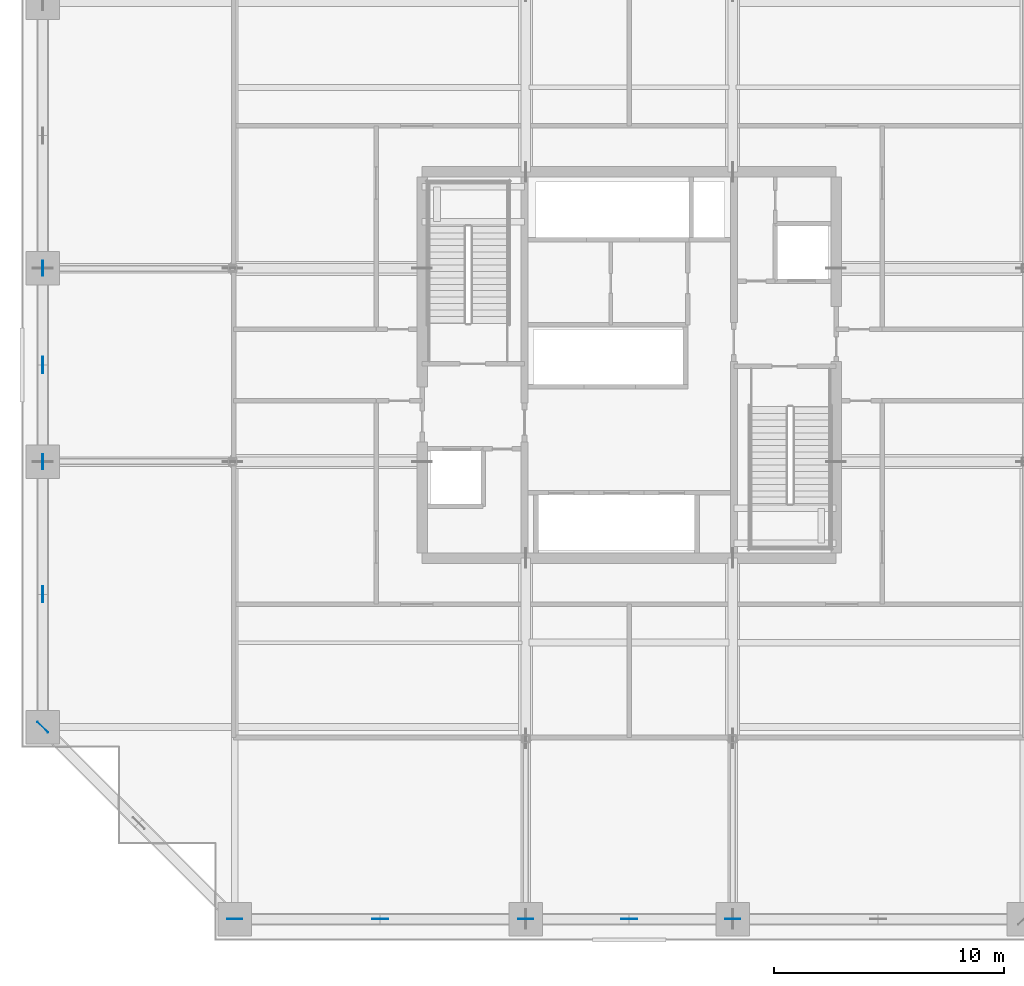
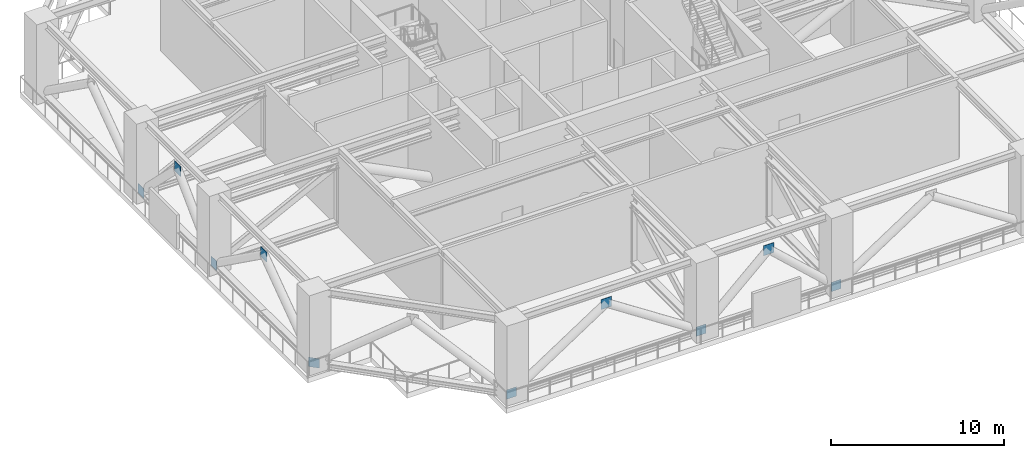
# One storey, part 10 of 21: 10 plates.
"""IFC4 building model written with IfcOpenShell, lengths in metres."""

from ifc_helpers import new_model, si_unit, direction, frame, origin, origin_2d, place, context, subcontext, project, spatial, rectangle, extrude, source, transform, mapped, material, layer, layer_set, type_object, element, save


model = new_model("IFC4")

# Units and contexts
model_context = context("Model", 3, precision=1e-05, world=origin(), true_north=direction((0.0, 1.0)))
body_context = subcontext(model_context, "Body", "Model", "MODEL_VIEW")
ifc_project = project(units=[si_unit("LENGTHUNIT", "METRE"), si_unit("AREAUNIT", "SQUARE_METRE"), si_unit("VOLUMEUNIT", "CUBIC_METRE"), si_unit("PLANEANGLEUNIT", "RADIAN"), si_unit("MASSUNIT", "GRAM", prefix="KILO")], contexts=[model_context])

# Site, building, storey
site_placement = place(None, origin())
site = spatial("IfcSite", under=ifc_project, at=site_placement, CompositionType="ELEMENT")
building_placement = place(site_placement, origin())
building = spatial("IfcBuilding", under=site, at=building_placement, Name="Serunith Strait Residences", CompositionType="ELEMENT")
storey_placement = place(building_placement, frame((0.0, 0.0, 109.199951171875)))
storey = spatial("IfcBuildingStorey", under=building, at=storey_placement, Name="L27", CompositionType="ELEMENT", Elevation=109.199951171875)

# Plates
ifc_material = material(Name="Steel S460M", Category="steel")
ifc_layer = layer(ifc_material, 0.02490234375, Name="Steel S460M")
ifc_layer_set = layer_set([ifc_layer], Name="Steel S460M")
plate_type = type_object("IfcPlateType", Name="PLT-CAP-25", PredefinedType="SHEET", material=ifc_layer_set)
shared_shape_1 = source(origin(), body_context, "Body", "SweptSolid", [
    extrude(rectangle(XDim=0.699951171875, YDim=0.02490234375, at=origin_2d()), origin(), (0.0, 0.0, 1.0), 0.699951171875),
])
for number, where, z_axis, x_axis, name in (
    (1, (21.574951171875, 1.10009765625, 4.0400390625), (0.0, 0.0, 1.0), (1.0, 0.0, 0.0), "L27 Belt Truss Apex Gusset 01"),
    (2, (32.39990234375, 1.10009765625, 4.0400390625), (0.0, 0.0, 1.0), (1.0, 0.0, 0.0), "L27 Belt Truss Apex Gusset 02"),
    (3, (6.89990234375, 25.199951171875, 4.0400390625), (0.0, 0.0, 1.0), (0.0, -1.0, 0.0), "L27 Belt Truss Apex Gusset 14"),
    (4, (6.89990234375, 15.22509765625, 4.0400390625), (0.0, 0.0, 1.0), (0.0, -1.0, 0.0), "L27 Belt Truss Apex Gusset 15"),
):
    element("IfcPlate", number, at=place(storey_placement, frame(where, z_axis=z_axis, x_axis=x_axis)), inside=storey, type_object=plate_type, Name=name, PredefinedType="SHEET", context=body_context, shape_type="MappedRepresentation", body=[
        mapped(shared_shape_1, transform((0.0, 0.0, 0.0), scale=1.0)),
    ])
shared_shape_2 = source(origin(), body_context, "Body", "SweptSolid", [
    extrude(rectangle(XDim=0.64990234375, YDim=0.02490234375, at=origin_2d()), origin(), (0.0, 0.0, 1.0), 0.64990234375),
])
for number, where, z_axis, x_axis, name in (
    (5, (15.25, 1.10009765625, -0.074951171875), (0.0, 0.0, 1.0), (1.0, 0.0, 0.0), "L27 Belt Truss Column Node Plate 01"),
    (6, (27.89990234375, 1.10009765625, -0.074951171875), (0.0, 0.0, 1.0), (1.0, 0.0, 0.0), "L27 Belt Truss Column Node Plate 02"),
    (7, (36.89990234375, 1.10009765625, -0.074951171875), (0.0, 0.0, 1.0), (1.0, 0.0, 0.0), "L27 Belt Truss Column Node Plate 03"),
    (8, (6.89990234375, 29.39990234375, -0.074951171875), (0.0, 0.0, 1.0), (0.0, -1.0, 0.0), "L27 Belt Truss Column Node Plate 14"),
    (9, (6.89990234375, 21.0, -0.074951171875), (0.0, 0.0, 1.0), (0.0, -1.0, 0.0), "L27 Belt Truss Column Node Plate 15"),
    (10, (6.89990234375, 9.449951171875, -0.074951171875), (0.0, 0.0, 1.0), (0.707106781187, -0.707106781187, 0.0), "L27 Belt Truss Column Node Plate 16"),
):
    element("IfcPlate", number, at=place(storey_placement, frame(where, z_axis=z_axis, x_axis=x_axis)), inside=storey, type_object=plate_type, Name=name, PredefinedType="SHEET", context=body_context, shape_type="MappedRepresentation", body=[
        mapped(shared_shape_2, transform((0.0, 0.0, 0.0), scale=1.0)),
    ])

save(model, "model.ifc")
